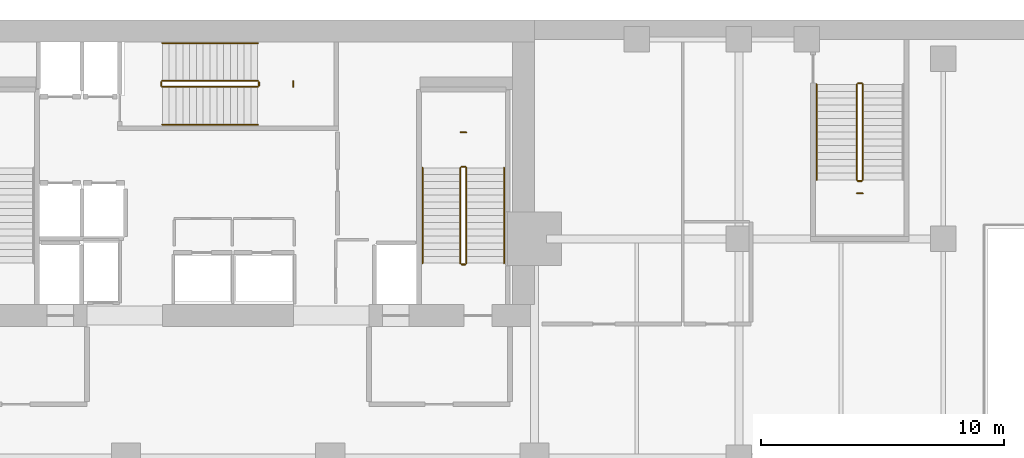
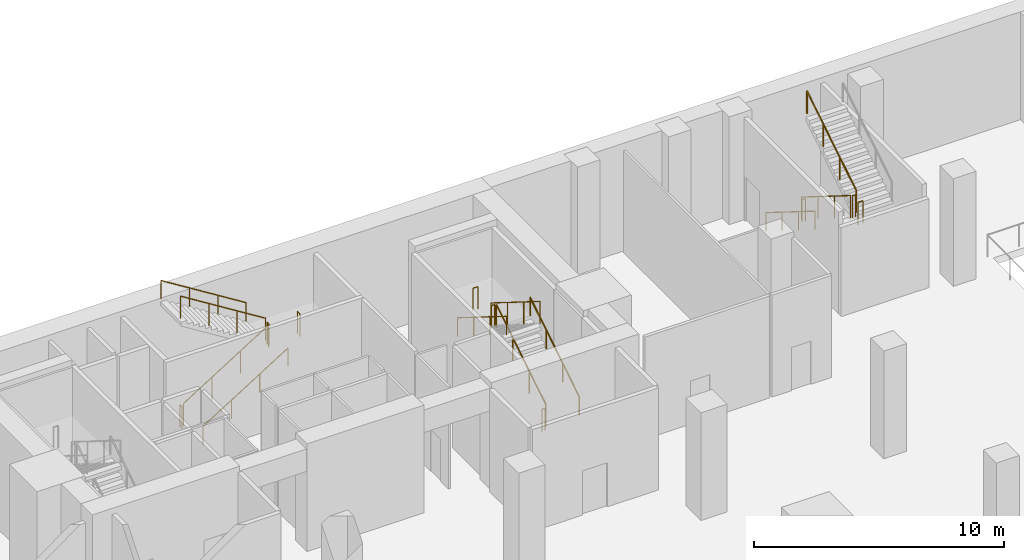
# One storey, part 9 of 10: 20 railings.
"""IFC4 building model written with IfcOpenShell, lengths in metres."""

from ifc_helpers import new_model, si_unit, direction, frame, origin, origin_2d, place, context, subcontext, project, spatial, circle, extrude, material, type_object, element, save


model = new_model("IFC4")

# Units and contexts
model_context = context("Model", 3, precision=1e-05, world=origin(), true_north=direction((0.0, 1.0)))
body_context = subcontext(model_context, "Body", "Model", "MODEL_VIEW")
ifc_project = project(units=[si_unit("LENGTHUNIT", "METRE"), si_unit("AREAUNIT", "SQUARE_METRE"), si_unit("VOLUMEUNIT", "CUBIC_METRE"), si_unit("PLANEANGLEUNIT", "RADIAN"), si_unit("MASSUNIT", "GRAM", prefix="KILO")], contexts=[model_context])

# Site, building, storey
site_placement = place(None, origin())
site = spatial("IfcSite", under=ifc_project, at=site_placement, CompositionType="ELEMENT")
building_placement = place(site_placement, origin())
building = spatial("IfcBuilding", under=site, at=building_placement, Name="Maruvema Waterfront Hotel and Observation Tower", CompositionType="ELEMENT")
storey_placement = place(building_placement, frame((0.0, 0.0, -5.25)))
storey = spatial("IfcBuildingStorey", under=building, at=storey_placement, Name="B01", CompositionType="ELEMENT", Elevation=-5.25)

# Railings
ifc_material_1 = material(Name="Brushed stainless steel Grade 316", Category="steel")
railing_type_1 = type_object("IfcRailingType", Name="Ramp Continuous Wall Handrail 920 mm", PredefinedType="HANDRAIL", material=ifc_material_1)
railing_1_placement = place(storey_placement, frame((35.10009765625, 49.699951171875, 0.175048828125)))
element("IfcRailing", 1, at=railing_1_placement, inside=storey, type_object=railing_type_1, Name="B01 ST-02 stair handrail 1", PredefinedType="HANDRAIL", context=body_context, shape_type="SweptSolid", body=[
    extrude(circle(Radius=0.02392578125, at=origin_2d()), frame((0.0, 0.0, 0.89599609375), z_axis=(0.847998304005, 0.0, 0.529998940003), x_axis=(0.0, 1.0, 0.0)), (0.0, 0.0, 1.0), 4.62255859375),
    extrude(circle(Radius=0.02099609375, at=origin_2d()), origin(), (0.0, 0.0, 1.0), 0.871826171875),
    extrude(circle(Radius=0.02099609375, at=origin_2d()), frame((1.306640625, 0.0, 0.816650390625)), (0.0, 0.0, 1.0), 0.871826171875),
    extrude(circle(Radius=0.02099609375, at=origin_2d()), frame((2.61328125, 0.0, 1.63330078125)), (0.0, 0.0, 1.0), 0.871826171875),
    extrude(circle(Radius=0.02099609375, at=origin_2d()), frame((3.919921875, 0.0, 2.449951171875)), (0.0, 0.0, 1.0), 0.871826171875),
])
railing_2_placement = place(storey_placement, frame((39.02001953125, 53.050048828125, 2.800048828125)))
element("IfcRailing", 2, at=railing_2_placement, inside=storey, type_object=railing_type_1, Name="B01 ST-02 stair handrail 2", PredefinedType="HANDRAIL", context=body_context, shape_type="SweptSolid", body=[
    extrude(circle(Radius=0.02392578125, at=origin_2d()), frame((0.0, 0.0, 0.89599609375), z_axis=(-0.847998304005, 0.0, 0.529998940003), x_axis=(0.0, -1.0, 0.0)), (0.0, 0.0, 1.0), 4.62255859375),
    extrude(circle(Radius=0.02099609375, at=origin_2d()), origin(), (0.0, 0.0, 1.0), 0.871826171875),
    extrude(circle(Radius=0.02099609375, at=origin_2d()), frame((-1.306640625, 0.0, 0.816650390625)), (0.0, 0.0, 1.0), 0.871826171875),
    extrude(circle(Radius=0.02099609375, at=origin_2d()), frame((-2.61328125, 0.0, 1.63330078125)), (0.0, 0.0, 1.0), 0.871826171875),
    extrude(circle(Radius=0.02099609375, at=origin_2d()), frame((-3.919921875, 0.0, 2.449951171875)), (0.0, 0.0, 1.0), 0.871826171875),
])
railing_3_placement = place(storey_placement, frame((49.14990234375, 44.0, 0.175048828125)))
element("IfcRailing", 3, at=railing_3_placement, inside=storey, type_object=railing_type_1, Name="B01 ST-03 stair handrail 1", PredefinedType="HANDRAIL", context=body_context, shape_type="SweptSolid", body=[
    extrude(circle(Radius=0.02392578125, at=origin_2d()), frame((0.0, 0.0, 0.89599609375), z_axis=(0.0, 0.847998304005, 0.529998940003), x_axis=(-1.0, 0.0, 0.0)), (0.0, 0.0, 1.0), 4.62255859375),
    extrude(circle(Radius=0.02099609375, at=origin_2d()), origin(), (0.0, 0.0, 1.0), 0.871826171875),
    extrude(circle(Radius=0.02099609375, at=origin_2d()), frame((0.0, 1.306640625, 0.816650390625)), (0.0, 0.0, 1.0), 0.871826171875),
    extrude(circle(Radius=0.02099609375, at=origin_2d()), frame((0.0, 2.61328125, 1.63330078125)), (0.0, 0.0, 1.0), 0.871826171875),
    extrude(circle(Radius=0.02099609375, at=origin_2d()), frame((0.0, 3.919921875, 2.449951171875)), (0.0, 0.0, 1.0), 0.871826171875),
])
railing_4_placement = place(storey_placement, frame((45.800048828125, 47.919921875, 2.800048828125)))
element("IfcRailing", 4, at=railing_4_placement, inside=storey, type_object=railing_type_1, Name="B01 ST-03 stair handrail 2", PredefinedType="HANDRAIL", context=body_context, shape_type="SweptSolid", body=[
    extrude(circle(Radius=0.02392578125, at=origin_2d()), frame((0.0, 0.0, 0.89599609375), z_axis=(0.0, -0.847998304005, 0.529998940003), x_axis=(1.0, 0.0, 0.0)), (0.0, 0.0, 1.0), 4.62255859375),
    extrude(circle(Radius=0.02099609375, at=origin_2d()), origin(), (0.0, 0.0, 1.0), 0.871826171875),
    extrude(circle(Radius=0.02099609375, at=origin_2d()), frame((0.0, -1.306640625, 0.816650390625)), (0.0, 0.0, 1.0), 0.871826171875),
    extrude(circle(Radius=0.02099609375, at=origin_2d()), frame((0.0, -2.61328125, 1.63330078125)), (0.0, 0.0, 1.0), 0.871826171875),
    extrude(circle(Radius=0.02099609375, at=origin_2d()), frame((0.0, -3.919921875, 2.449951171875)), (0.0, 0.0, 1.0), 0.871826171875),
])
railing_5_placement = place(storey_placement, frame((62.0, 51.35009765625, 0.175048828125)))
element("IfcRailing", 5, at=railing_5_placement, inside=storey, type_object=railing_type_1, Name="B01 ST-05 stair handrail 1", PredefinedType="HANDRAIL", context=body_context, shape_type="SweptSolid", body=[
    extrude(circle(Radius=0.02392578125, at=origin_2d()), frame((0.0, 0.0, 0.89599609375), z_axis=(0.0, -0.848013138694, 0.529975203761), x_axis=(1.0, 0.0, 0.0)), (0.0, 0.0, 1.0), 4.622802734375),
    extrude(circle(Radius=0.02099609375, at=origin_2d()), origin(), (0.0, 0.0, 1.0), 0.871826171875),
    extrude(circle(Radius=0.02099609375, at=origin_2d()), frame((0.0, -1.306640625, 0.816650390625)), (0.0, 0.0, 1.0), 0.871826171875),
    extrude(circle(Radius=0.02099609375, at=origin_2d()), frame((0.0, -2.613525390625, 1.63330078125)), (0.0, 0.0, 1.0), 0.871826171875),
    extrude(circle(Radius=0.02099609375, at=origin_2d()), frame((0.0, -3.920166015625, 2.449951171875)), (0.0, 0.0, 1.0), 0.871826171875),
])
ifc_material_2 = material(Name="Brushed stainless steel Grade 316", Category="steel")
railing_type_2 = type_object("IfcRailingType", Name="Ramp and Terrace Guard Balustrade 1100 mm", PredefinedType="BALUSTRADE", material=ifc_material_2)
railing_6_placement = place(storey_placement, frame((35.10009765625, 51.25, 0.175048828125)))
element("IfcRailing", 6, at=railing_6_placement, inside=storey, type_object=railing_type_2, Name="B01 ST-02 stair guard 1", PredefinedType="BALUSTRADE", context=body_context, shape_type="SweptSolid", body=[
    extrude(circle(Radius=0.02392578125, at=origin_2d()), frame((0.0, 0.0, 1.076171875), z_axis=(0.847998304005, 0.0, 0.529998940003), x_axis=(0.0, 1.0, 0.0)), (0.0, 0.0, 1.0), 4.62255859375),
    extrude(circle(Radius=0.02099609375, at=origin_2d()), origin(), (0.0, 0.0, 1.0), 1.052001953125),
    extrude(circle(Radius=0.02099609375, at=origin_2d()), frame((1.306640625, 0.0, 0.816650390625)), (0.0, 0.0, 1.0), 1.052001953125),
    extrude(circle(Radius=0.02099609375, at=origin_2d()), frame((2.61328125, 0.0, 1.63330078125)), (0.0, 0.0, 1.0), 1.052001953125),
    extrude(circle(Radius=0.02099609375, at=origin_2d()), frame((3.919921875, 0.0, 2.449951171875)), (0.0, 0.0, 1.0), 1.052001953125),
])
railing_7_placement = place(storey_placement, frame((39.070068359375, 51.300048828125, 2.625)))
element("IfcRailing", 7, at=railing_7_placement, inside=storey, type_object=railing_type_2, Name="B01 ST-02 stair guard 2", PredefinedType="BALUSTRADE", context=body_context, shape_type="SweptSolid", body=[
    extrude(circle(Radius=0.02392578125, at=origin_2d()), frame((0.0, 0.0, 1.076171875), z_axis=(0.0, 1.0, 0.0), x_axis=(-1.0, 0.0, 0.0)), (0.0, 0.0, 1.0), 0.14990234375),
    extrude(circle(Radius=0.02099609375, at=origin_2d()), origin(), (0.0, 0.0, 1.0), 1.052001953125),
    extrude(circle(Radius=0.02099609375, at=origin_2d()), frame((0.0, 0.14990234375, 0.0)), (0.0, 0.0, 1.0), 1.052001953125),
])
railing_8_placement = place(storey_placement, frame((39.02001953125, 51.5, 2.800048828125)))
element("IfcRailing", 8, at=railing_8_placement, inside=storey, type_object=railing_type_2, Name="B01 ST-02 stair guard 3", PredefinedType="BALUSTRADE", context=body_context, shape_type="SweptSolid", body=[
    extrude(circle(Radius=0.02392578125, at=origin_2d()), frame((0.0, 0.0, 1.076171875), z_axis=(-0.847998304005, 0.0, 0.529998940003), x_axis=(0.0, -1.0, 0.0)), (0.0, 0.0, 1.0), 4.62255859375),
    extrude(circle(Radius=0.02099609375, at=origin_2d()), origin(), (0.0, 0.0, 1.0), 1.052001953125),
    extrude(circle(Radius=0.02099609375, at=origin_2d()), frame((-1.306640625, 0.0, 0.816650390625)), (0.0, 0.0, 1.0), 1.052001953125),
    extrude(circle(Radius=0.02099609375, at=origin_2d()), frame((-2.61328125, 0.0, 1.63330078125)), (0.0, 0.0, 1.0), 1.052001953125),
    extrude(circle(Radius=0.02099609375, at=origin_2d()), frame((-3.919921875, 0.0, 2.449951171875)), (0.0, 0.0, 1.0), 1.052001953125),
])
railing_9_placement = place(storey_placement, frame((35.050048828125, 51.300048828125, 0.0)))
element("IfcRailing", 9, at=railing_9_placement, inside=storey, type_object=railing_type_2, Name="B01 ST-02 stair guard 4", PredefinedType="BALUSTRADE", context=body_context, shape_type="SweptSolid", body=[
    extrude(circle(Radius=0.02392578125, at=origin_2d()), frame((0.0, 0.0, 1.076171875), z_axis=(0.0, 1.0, 0.0), x_axis=(-1.0, 0.0, 0.0)), (0.0, 0.0, 1.0), 0.14990234375),
    extrude(circle(Radius=0.02099609375, at=origin_2d()), origin(), (0.0, 0.0, 1.0), 1.052001953125),
    extrude(circle(Radius=0.02099609375, at=origin_2d()), frame((0.0, 0.14990234375, 0.0)), (0.0, 0.0, 1.0), 1.052001953125),
])
railing_10_placement = place(storey_placement, frame((40.47998046875, 51.260009765625, 2.625)))
element("IfcRailing", 10, at=railing_10_placement, inside=storey, type_object=railing_type_2, Name="B01 ST-02 Half-Landing Slot Guard", PredefinedType="BALUSTRADE", context=body_context, shape_type="SweptSolid", body=[
    extrude(circle(Radius=0.02392578125, at=origin_2d()), frame((0.0, 0.0, 1.076171875), z_axis=(0.0, 1.0, 0.0), x_axis=(-1.0, 0.0, 0.0)), (0.0, 0.0, 1.0), 0.22998046875),
    extrude(circle(Radius=0.02099609375, at=origin_2d()), origin(), (0.0, 0.0, 1.0), 1.052001953125),
    extrude(circle(Radius=0.02099609375, at=origin_2d()), frame((0.0, 0.22998046875, 0.0)), (0.0, 0.0, 1.0), 1.052001953125),
])
railing_11_placement = place(storey_placement, frame((47.60009765625, 44.0, 0.175048828125)))
element("IfcRailing", 11, at=railing_11_placement, inside=storey, type_object=railing_type_2, Name="B01 ST-03 stair guard 1", PredefinedType="BALUSTRADE", context=body_context, shape_type="SweptSolid", body=[
    extrude(circle(Radius=0.02392578125, at=origin_2d()), frame((0.0, 0.0, 1.076171875), z_axis=(0.0, 0.847998304005, 0.529998940003), x_axis=(-1.0, 0.0, 0.0)), (0.0, 0.0, 1.0), 4.62255859375),
    extrude(circle(Radius=0.02099609375, at=origin_2d()), origin(), (0.0, 0.0, 1.0), 1.052001953125),
    extrude(circle(Radius=0.02099609375, at=origin_2d()), frame((0.0, 1.306640625, 0.816650390625)), (0.0, 0.0, 1.0), 1.052001953125),
    extrude(circle(Radius=0.02099609375, at=origin_2d()), frame((0.0, 2.61328125, 1.63330078125)), (0.0, 0.0, 1.0), 1.052001953125),
    extrude(circle(Radius=0.02099609375, at=origin_2d()), frame((0.0, 3.919921875, 2.449951171875)), (0.0, 0.0, 1.0), 1.052001953125),
])
railing_12_placement = place(storey_placement, frame((47.550048828125, 47.969970703125, 2.625)))
element("IfcRailing", 12, at=railing_12_placement, inside=storey, type_object=railing_type_2, Name="B01 ST-03 stair guard 2", PredefinedType="BALUSTRADE", context=body_context, shape_type="SweptSolid", body=[
    extrude(circle(Radius=0.02392578125, at=origin_2d()), frame((0.0, 0.0, 1.076171875), z_axis=(-1.0, 0.0, 0.0), x_axis=(0.0, -1.0, 0.0)), (0.0, 0.0, 1.0), 0.150146484375),
    extrude(circle(Radius=0.02099609375, at=origin_2d()), origin(), (0.0, 0.0, 1.0), 1.052001953125),
    extrude(circle(Radius=0.02099609375, at=origin_2d()), frame((-0.150146484375, 0.0, 0.0)), (0.0, 0.0, 1.0), 1.052001953125),
])
railing_13_placement = place(storey_placement, frame((47.35009765625, 47.919921875, 2.800048828125)))
element("IfcRailing", 13, at=railing_13_placement, inside=storey, type_object=railing_type_2, Name="B01 ST-03 stair guard 3", PredefinedType="BALUSTRADE", context=body_context, shape_type="SweptSolid", body=[
    extrude(circle(Radius=0.02392578125, at=origin_2d()), frame((0.0, 0.0, 1.076171875), z_axis=(0.0, -0.847998304005, 0.529998940003), x_axis=(1.0, 0.0, 0.0)), (0.0, 0.0, 1.0), 4.62255859375),
    extrude(circle(Radius=0.02099609375, at=origin_2d()), origin(), (0.0, 0.0, 1.0), 1.052001953125),
    extrude(circle(Radius=0.02099609375, at=origin_2d()), frame((0.0, -1.306640625, 0.816650390625)), (0.0, 0.0, 1.0), 1.052001953125),
    extrude(circle(Radius=0.02099609375, at=origin_2d()), frame((0.0, -2.61328125, 1.63330078125)), (0.0, 0.0, 1.0), 1.052001953125),
    extrude(circle(Radius=0.02099609375, at=origin_2d()), frame((0.0, -3.919921875, 2.449951171875)), (0.0, 0.0, 1.0), 1.052001953125),
])
railing_14_placement = place(storey_placement, frame((47.550048828125, 43.949951171875, 0.0)))
element("IfcRailing", 14, at=railing_14_placement, inside=storey, type_object=railing_type_2, Name="B01 ST-03 stair guard 4", PredefinedType="BALUSTRADE", context=body_context, shape_type="SweptSolid", body=[
    extrude(circle(Radius=0.02392578125, at=origin_2d()), frame((0.0, 0.0, 1.076171875), z_axis=(-1.0, 0.0, 0.0), x_axis=(0.0, -1.0, 0.0)), (0.0, 0.0, 1.0), 0.150146484375),
    extrude(circle(Radius=0.02099609375, at=origin_2d()), origin(), (0.0, 0.0, 1.0), 1.052001953125),
    extrude(circle(Radius=0.02099609375, at=origin_2d()), frame((-0.150146484375, 0.0, 0.0)), (0.0, 0.0, 1.0), 1.052001953125),
])
railing_15_placement = place(storey_placement, frame((47.590087890625, 49.3798828125, 2.625)))
element("IfcRailing", 15, at=railing_15_placement, inside=storey, type_object=railing_type_2, Name="B01 ST-03 Half-Landing Slot Guard", PredefinedType="BALUSTRADE", context=body_context, shape_type="SweptSolid", body=[
    extrude(circle(Radius=0.02392578125, at=origin_2d()), frame((0.0, 0.0, 1.076171875), z_axis=(-1.0, 0.0, 0.0), x_axis=(0.0, -1.0, 0.0)), (0.0, 0.0, 1.0), 0.22998046875),
    extrude(circle(Radius=0.02099609375, at=origin_2d()), origin(), (0.0, 0.0, 1.0), 1.052001953125),
    extrude(circle(Radius=0.02099609375, at=origin_2d()), frame((-0.22998046875, 0.0, 0.0)), (0.0, 0.0, 1.0), 1.052001953125),
])
railing_16_placement = place(storey_placement, frame((63.64990234375, 51.35009765625, 0.175048828125)))
element("IfcRailing", 16, at=railing_16_placement, inside=storey, type_object=railing_type_2, Name="B01 ST-05 stair guard 1", PredefinedType="BALUSTRADE", context=body_context, shape_type="SweptSolid", body=[
    extrude(circle(Radius=0.02392578125, at=origin_2d()), frame((0.0, 0.0, 1.076171875), z_axis=(0.0, -0.848013138694, 0.529975203761), x_axis=(1.0, 0.0, 0.0)), (0.0, 0.0, 1.0), 4.622802734375),
    extrude(circle(Radius=0.02099609375, at=origin_2d()), origin(), (0.0, 0.0, 1.0), 1.052001953125),
    extrude(circle(Radius=0.02099609375, at=origin_2d()), frame((0.0, -1.306640625, 0.816650390625)), (0.0, 0.0, 1.0), 1.052001953125),
    extrude(circle(Radius=0.02099609375, at=origin_2d()), frame((0.0, -2.613525390625, 1.63330078125)), (0.0, 0.0, 1.0), 1.052001953125),
    extrude(circle(Radius=0.02099609375, at=origin_2d()), frame((0.0, -3.920166015625, 2.449951171875)), (0.0, 0.0, 1.0), 1.052001953125),
])
railing_17_placement = place(storey_placement, frame((63.699951171875, 47.3798828125, 2.625)))
element("IfcRailing", 17, at=railing_17_placement, inside=storey, type_object=railing_type_2, Name="B01 ST-05 stair guard 2", PredefinedType="BALUSTRADE", context=body_context, shape_type="SweptSolid", body=[
    extrude(circle(Radius=0.02392578125, at=origin_2d()), frame((0.0, 0.0, 1.076171875), z_axis=(1.0, 0.0, 0.0), x_axis=(0.0, 1.0, 0.0)), (0.0, 0.0, 1.0), 0.150146484375),
    extrude(circle(Radius=0.02099609375, at=origin_2d()), origin(), (0.0, 0.0, 1.0), 1.052001953125),
    extrude(circle(Radius=0.02099609375, at=origin_2d()), frame((0.150146484375, 0.0, 0.0)), (0.0, 0.0, 1.0), 1.052001953125),
])
railing_18_placement = place(storey_placement, frame((63.89990234375, 47.429931640625, 2.800048828125)))
element("IfcRailing", 18, at=railing_18_placement, inside=storey, type_object=railing_type_2, Name="B01 ST-05 stair guard 3", PredefinedType="BALUSTRADE", context=body_context, shape_type="SweptSolid", body=[
    extrude(circle(Radius=0.02392578125, at=origin_2d()), frame((0.0, 0.0, 1.076171875), z_axis=(0.0, 0.848013138694, 0.529975203761), x_axis=(-1.0, 0.0, 0.0)), (0.0, 0.0, 1.0), 4.622802734375),
    extrude(circle(Radius=0.02099609375, at=origin_2d()), origin(), (0.0, 0.0, 1.0), 1.052001953125),
    extrude(circle(Radius=0.02099609375, at=origin_2d()), frame((0.0, 1.306640625, 0.816650390625)), (0.0, 0.0, 1.0), 1.052001953125),
    extrude(circle(Radius=0.02099609375, at=origin_2d()), frame((0.0, 2.613525390625, 1.63330078125)), (0.0, 0.0, 1.0), 1.052001953125),
    extrude(circle(Radius=0.02099609375, at=origin_2d()), frame((0.0, 3.920166015625, 2.449951171875)), (0.0, 0.0, 1.0), 1.052001953125),
])
railing_19_placement = place(storey_placement, frame((63.699951171875, 51.39990234375, 0.0)))
element("IfcRailing", 19, at=railing_19_placement, inside=storey, type_object=railing_type_2, Name="B01 ST-05 stair guard 4", PredefinedType="BALUSTRADE", context=body_context, shape_type="SweptSolid", body=[
    extrude(circle(Radius=0.02392578125, at=origin_2d()), frame((0.0, 0.0, 1.076171875), z_axis=(1.0, 0.0, 0.0), x_axis=(0.0, 1.0, 0.0)), (0.0, 0.0, 1.0), 0.150146484375),
    extrude(circle(Radius=0.02099609375, at=origin_2d()), origin(), (0.0, 0.0, 1.0), 1.052001953125),
    extrude(circle(Radius=0.02099609375, at=origin_2d()), frame((0.150146484375, 0.0, 0.0)), (0.0, 0.0, 1.0), 1.052001953125),
])
railing_20_placement = place(storey_placement, frame((63.659912109375, 46.8701171875, 2.625)))
element("IfcRailing", 20, at=railing_20_placement, inside=storey, type_object=railing_type_2, Name="B01 ST-05 Half-Landing Slot Guard", PredefinedType="BALUSTRADE", context=body_context, shape_type="SweptSolid", body=[
    extrude(circle(Radius=0.02392578125, at=origin_2d()), frame((0.0, 0.0, 1.076171875), z_axis=(1.0, 0.0, 0.0), x_axis=(0.0, 1.0, 0.0)), (0.0, 0.0, 1.0), 0.22998046875),
    extrude(circle(Radius=0.02099609375, at=origin_2d()), origin(), (0.0, 0.0, 1.0), 1.052001953125),
    extrude(circle(Radius=0.02099609375, at=origin_2d()), frame((0.22998046875, 0.0, 0.0)), (0.0, 0.0, 1.0), 1.052001953125),
])

save(model, "model.ifc")
